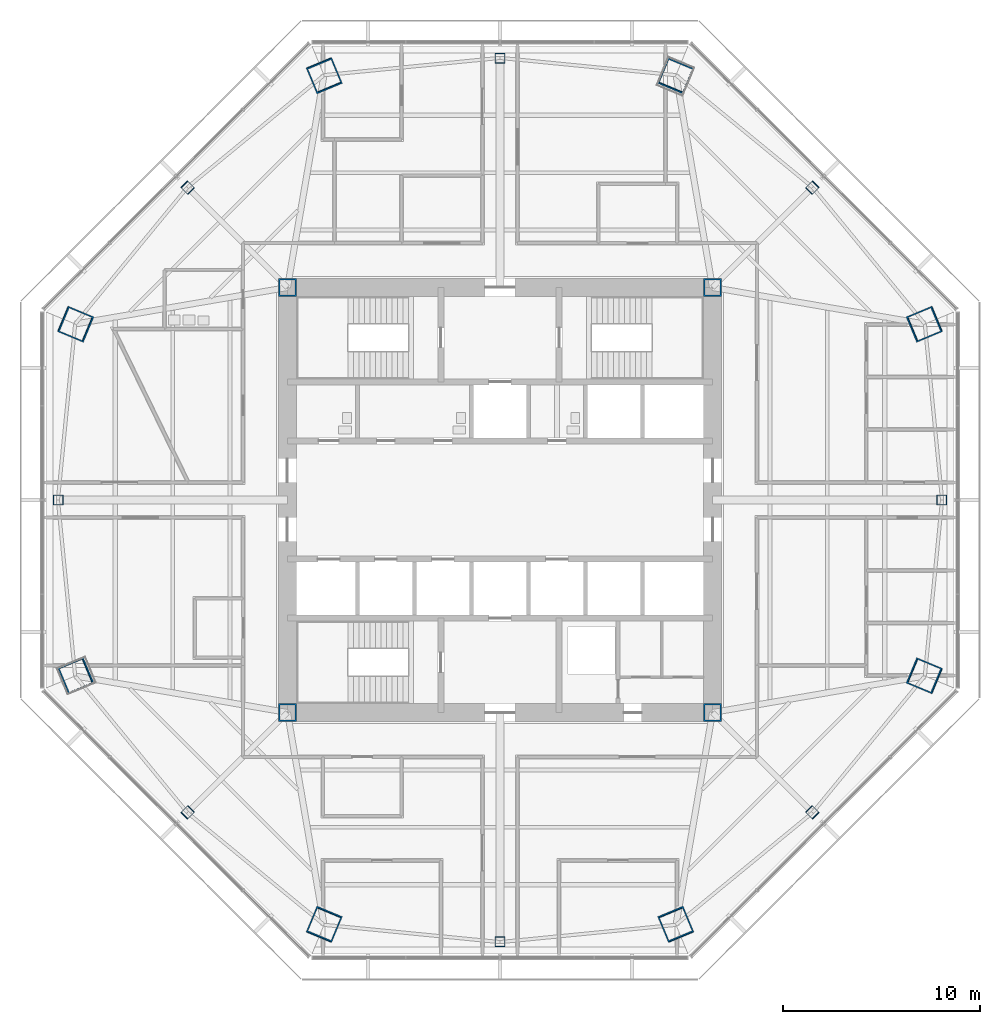
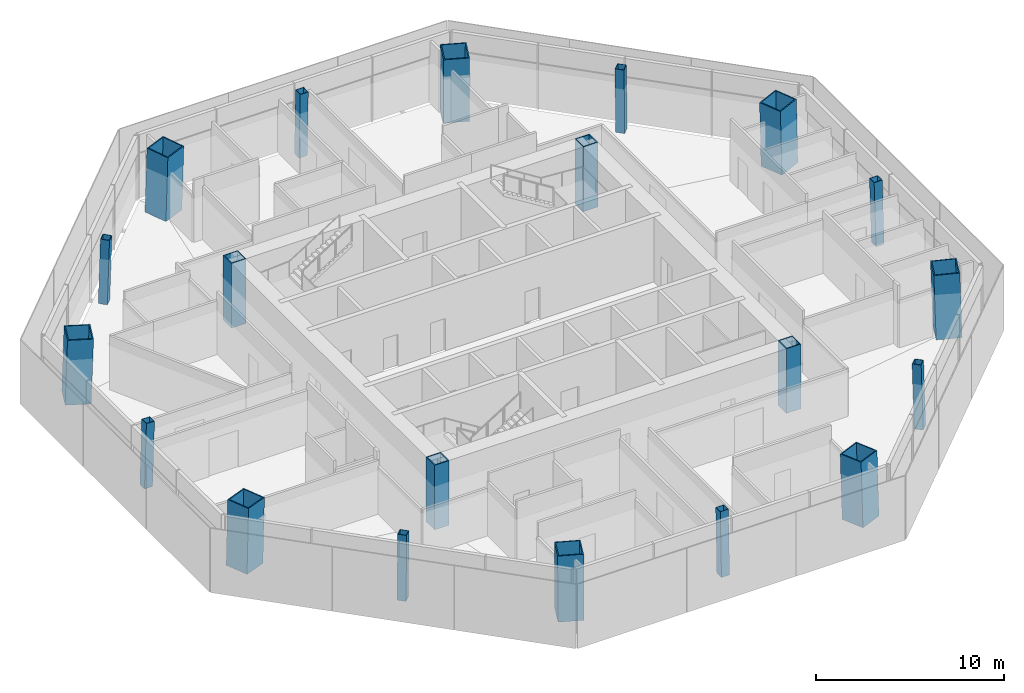
# One storey, part 1 of 15: 20 columns.
"""IFC4 building model written with IfcOpenShell, lengths in metres."""

from ifc_helpers import new_model, si_unit, direction, frame, origin, origin_2d, place, context, subcontext, project, spatial, hollow_rectangle, extrude, material, material_profile, profile_set, type_object, element, save


model = new_model("IFC4")

# Units and contexts
model_context = context("Model", 3, precision=1e-05, world=origin(), true_north=direction((0.0, 1.0)))
body_context = subcontext(model_context, "Body", "Model", "MODEL_VIEW")
ifc_project = project(units=[si_unit("LENGTHUNIT", "METRE"), si_unit("AREAUNIT", "SQUARE_METRE"), si_unit("VOLUMEUNIT", "CUBIC_METRE"), si_unit("PLANEANGLEUNIT", "RADIAN"), si_unit("MASSUNIT", "GRAM", prefix="KILO")], contexts=[model_context])

# Site, building, storey
site_placement = place(None, origin())
site = spatial("IfcSite", under=ifc_project, at=site_placement, CompositionType="ELEMENT")
building_placement = place(site_placement, origin())
building = spatial("IfcBuilding", under=site, at=building_placement, Name="Mashrafa Tower", CompositionType="ELEMENT")
storey_placement = place(building_placement, frame((0.0, 0.0, 168.0)))
storey = spatial("IfcBuildingStorey", under=building, at=storey_placement, Name="L38", CompositionType="ELEMENT", Elevation=168.0)

# Columns
ifc_material_1 = material(Name="Steel ASTM A572 Gr 50", Category="steel")
ifc_material_profile_1 = material_profile(ifc_material_1, hollow_rectangle(XDim=0.89990234375, YDim=0.89990234375, WallThickness=0.06005859375, at=origin_2d()), Name="BOX900X900X60")
ifc_profile_set_1 = profile_set([ifc_material_profile_1], Name="Steel ASTM A572 Gr 50")
column_type_1 = type_object("IfcColumnType", Name="Core corner column BOX900X900X60", PredefinedType="COLUMN", material=ifc_profile_set_1)
for number, where, z_axis, x_axis, name in (
    (1, (10.800048828125, 10.800048828125, 0.0), (0.0, 0.0, 1.0), (1.0, 0.0, 0.0), "Core corner column CC-NE L38"),
    (2, (-10.800048828125, 10.800048828125, 0.0), (0.0, 0.0, 1.0), (1.0, 0.0, 0.0), "Core corner column CC-NW L38"),
    (3, (-10.800048828125, -10.800048828125, 0.0), (0.0, 0.0, 1.0), (1.0, 0.0, 0.0), "Core corner column CC-SW L38"),
    (4, (10.800048828125, -10.800048828125, 0.0), (0.0, 0.0, 1.0), (1.0, 0.0, 0.0), "Core corner column CC-SE L38"),
):
    element("IfcColumn", number, at=place(storey_placement, frame(where, z_axis=z_axis, x_axis=x_axis)), inside=storey, type_object=column_type_1, Name=name, PredefinedType="COLUMN", context=body_context, shape_type="SweptSolid", body=[
        extrude(hollow_rectangle(XDim=0.89990234375, YDim=0.89990234375, WallThickness=0.06005859375, at=origin_2d()), origin(), (0.0, 0.0, 1.0), 4.199951171875),
    ])
ifc_material_2 = material(Name="Steel ASTM A572 Gr 50", Category="steel")
ifc_material_profile_2 = material_profile(ifc_material_2, hollow_rectangle(XDim=1.39990234375, YDim=1.39990234375, WallThickness=0.06494140625, at=origin_2d()), Name="BOX1400X1400X65")
ifc_profile_set_2 = profile_set([ifc_material_profile_2], Name="Steel ASTM A572 Gr 50")
column_type_2 = type_object("IfcColumnType", Name="Mega column CFST BOX1400X1400X65", PredefinedType="COLUMN", material=ifc_profile_set_2)
for number, where, z_axis, x_axis, name in (
    (5, (21.583984375, 8.9404296875, 0.0), (-0.028237674468, -0.01173664659, 0.999532333078), (0.38380575713, -0.923413851312, 0.0), "Mega column MC1 L38"),
    (6, (8.9404296875, 21.583984375, 0.0), (-0.01173664659, -0.028237674468, 0.999532333078), (0.923413851312, -0.38380575713, 0.0), "Mega column MC2 L38"),
    (7, (-8.9404296875, 21.583984375, 0.0), (0.01173664659, -0.028237674468, 0.999532333078), (0.923413851312, 0.38380575713, 0.0), "Mega column MC3 L38"),
    (8, (-21.583984375, 8.9404296875, 0.0), (0.028237674468, -0.01173664659, 0.999532333078), (0.38380575713, 0.923413851312, 0.0), "Mega column MC4 L38"),
    (9, (-21.583984375, -8.9404296875, 0.0), (0.028237674468, 0.01173664659, 0.999532333078), (-0.38380575713, 0.923413851312, 0.0), "Mega column MC5 L38"),
    (10, (-8.9404296875, -21.583984375, 0.0), (0.01173664659, 0.028237674468, 0.999532333078), (-0.923413851312, 0.38380575713, 0.0), "Mega column MC6 L38"),
    (11, (8.9404296875, -21.583984375, 0.0), (-0.01173664659, 0.028237674468, 0.999532333078), (-0.923413851312, -0.38380575713, 0.0), "Mega column MC7 L38"),
    (12, (21.583984375, -8.9404296875, 0.0), (-0.028237674468, 0.01173664659, 0.999532333078), (-0.38380575713, -0.923413851312, 0.0), "Mega column MC8 L38"),
):
    element("IfcColumn", number, at=place(storey_placement, frame(where, z_axis=z_axis, x_axis=x_axis)), inside=storey, type_object=column_type_2, Name=name, PredefinedType="COLUMN", context=body_context, shape_type="SweptSolid", body=[
        extrude(hollow_rectangle(XDim=1.39990234375, YDim=1.39990234375, WallThickness=0.06494140625, at=origin_2d()), origin(), (0.0, 0.0, 1.0), 4.201904296875),
    ])
ifc_material_3 = material(Name="Steel ASTM A572 Gr 50", Category="steel")
ifc_material_profile_3 = material_profile(ifc_material_3, hollow_rectangle(XDim=0.5, YDim=0.5, WallThickness=0.02490234375, at=origin_2d()), Name="BOX500X500X25")
ifc_profile_set_3 = profile_set([ifc_material_profile_3], Name="Steel ASTM A572 Gr 50")
column_type_3 = type_object("IfcColumnType", Name="Secondary column BOX500X500X25", PredefinedType="COLUMN", material=ifc_profile_set_3)
for number, where, z_axis, x_axis, name in (
    (13, (22.462158203125, 0.0, 0.0), (-0.028239619523, 0.0, 0.999601182417), (0.0, -1.0, 0.0), "Secondary column SC1 L38"),
    (14, (15.88330078125, 15.88330078125, 0.0), (-0.020046580746, -0.020046580746, 0.99959805382), (0.707106781187, -0.707106781187, 0.0), "Secondary column SC2 L38"),
    (15, (0.0, 22.462158203125, 0.0), (0.0, -0.028239619523, 0.999601182417), (1.0, 0.0, 0.0), "Secondary column SC3 L38"),
    (16, (-15.88330078125, 15.88330078125, 0.0), (0.020046580746, -0.020046580746, 0.99959805382), (0.707106781187, 0.707106781187, 0.0), "Secondary column SC4 L38"),
    (17, (-22.462158203125, 0.0, 0.0), (0.028239619523, 0.0, 0.999601182417), (0.0, 1.0, 0.0), "Secondary column SC5 L38"),
    (18, (-15.88330078125, -15.88330078125, 0.0), (0.020046580746, 0.020046580746, 0.99959805382), (-0.707106781187, 0.707106781187, 0.0), "Secondary column SC6 L38"),
    (19, (0.0, -22.462158203125, 0.0), (0.0, 0.028239619523, 0.999601182417), (-1.0, 0.0, 0.0), "Secondary column SC7 L38"),
    (20, (15.88330078125, -15.88330078125, 0.0), (-0.020046580746, 0.020046580746, 0.99959805382), (-0.707106781187, -0.707106781187, 0.0), "Secondary column SC8 L38"),
):
    element("IfcColumn", number, at=place(storey_placement, frame(where, z_axis=z_axis, x_axis=x_axis)), inside=storey, type_object=column_type_3, Name=name, PredefinedType="COLUMN", context=body_context, shape_type="SweptSolid", body=[
        extrude(hollow_rectangle(XDim=0.5, YDim=0.5, WallThickness=0.02490234375, at=origin_2d()), origin(), (0.0, 0.0, 1.0), 4.20166015625),
    ])

save(model, "model.ifc")
